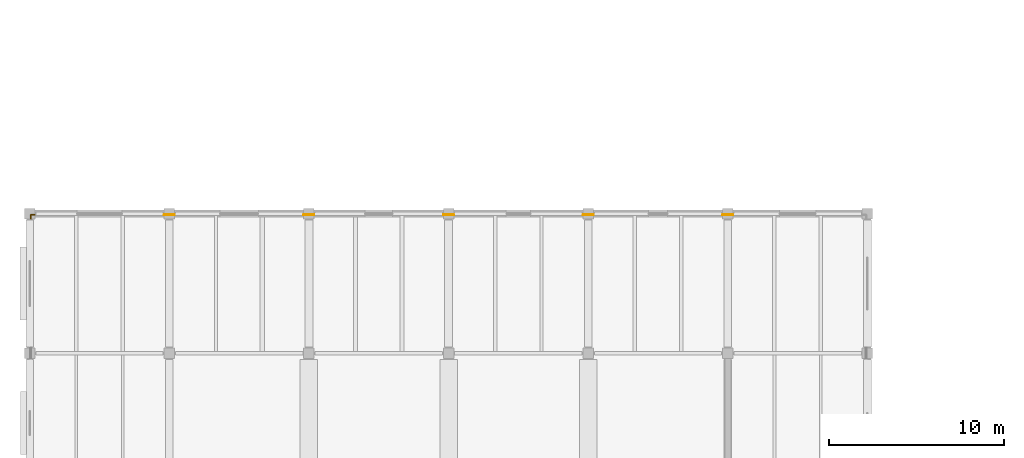
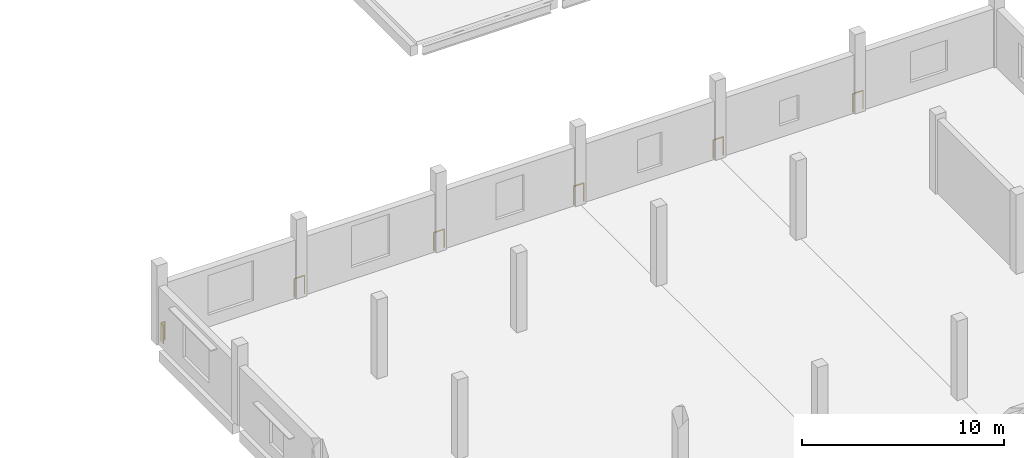
# One storey, part 39 of 52: 7 railings.
"""IFC4 building model written with IfcOpenShell, lengths in metres."""

from ifc_helpers import new_model, si_unit, direction, frame, origin, origin_2d, place, context, subcontext, project, spatial, circle, extrude, material, type_object, element, save


model = new_model("IFC4")

# Units and contexts
model_context = context("Model", 3, precision=1e-05, world=origin(), true_north=direction((0.0, 1.0)))
body_context = subcontext(model_context, "Body", "Model", "MODEL_VIEW")
ifc_project = project(units=[si_unit("LENGTHUNIT", "METRE"), si_unit("AREAUNIT", "SQUARE_METRE"), si_unit("VOLUMEUNIT", "CUBIC_METRE"), si_unit("PLANEANGLEUNIT", "RADIAN"), si_unit("MASSUNIT", "GRAM", prefix="KILO")], contexts=[model_context])

# Site, building, storey
site_placement = place(None, origin())
site = spatial("IfcSite", under=ifc_project, at=site_placement, CompositionType="ELEMENT")
building_placement = place(site_placement, origin())
building = spatial("IfcBuilding", under=site, at=building_placement, Name="Pecanmere Concourse Central Library", CompositionType="ELEMENT")
storey_placement = place(building_placement, frame((0.0, 0.0, 10.5)))
storey = spatial("IfcBuildingStorey", under=building, at=storey_placement, Name="L03", CompositionType="ELEMENT", Elevation=10.5)

# Railings
ifc_material = material(Name="Architectural anodized bronze")
railing_type = type_object("IfcRailingType", Name="RAIL_ATRIUM_BAL", PredefinedType="BALUSTRADE", material=ifc_material)
railing_1_placement = place(storey_placement, frame((0.070068359375, 31.929931640625, 0.0)))
element("IfcRailing", 1, at=railing_1_placement, inside=storey, type_object=railing_type, Name="Deck Edge Protective Balustrade L03-138", PredefinedType="BALUSTRADE", context=body_context, shape_type="SweptSolid", body=[
    extrude(circle(Radius=0.02392578125, at=origin_2d()), frame((0.0, 0.0, 1.09619140625), z_axis=(1.0, 0.0, 0.0), x_axis=(0.0, 1.0, 0.0)), (0.0, 0.0, 1.0), 0.224853515625),
    extrude(circle(Radius=0.02099609375, at=origin_2d()), origin(), (0.0, 0.0, 1.0), 1.072021484375),
    extrude(circle(Radius=0.02099609375, at=origin_2d()), frame((0.224853515625, 0.0, 0.0)), (0.0, 0.0, 1.0), 1.072021484375),
])
for number, where, name in (
    (2, (7.705078125, 31.929931640625, 0.0), "Deck Edge Protective Balustrade L03-139"),
    (3, (15.705078125, 31.929931640625, 0.0), "Deck Edge Protective Balustrade L03-140"),
    (4, (23.705078125, 31.929931640625, 0.0), "Deck Edge Protective Balustrade L03-141"),
    (5, (31.705078125, 31.929931640625, 0.0), "Deck Edge Protective Balustrade L03-142"),
    (6, (39.705078125, 31.929931640625, 0.0), "Deck Edge Protective Balustrade L03-143"),
):
    element("IfcRailing", number, at=place(storey_placement, frame(where)), inside=storey, type_object=railing_type, Name=name, PredefinedType="BALUSTRADE", context=body_context, shape_type="SweptSolid", body=[
        extrude(circle(Radius=0.02392578125, at=origin_2d()), frame((0.0, 0.0, 1.09619140625), z_axis=(1.0, 0.0, 0.0), x_axis=(0.0, 1.0, 0.0)), (0.0, 0.0, 1.0), 0.58984375),
        extrude(circle(Radius=0.02099609375, at=origin_2d()), origin(), (0.0, 0.0, 1.0), 1.072021484375),
        extrude(circle(Radius=0.02099609375, at=origin_2d()), frame((0.58984375, 0.0, 0.0)), (0.0, 0.0, 1.0), 1.072021484375),
    ])
railing_2_placement = place(storey_placement, frame((0.070068359375, 31.705078125, 0.0)))
element("IfcRailing", 7, at=railing_2_placement, inside=storey, type_object=railing_type, Name="Deck Edge Protective Balustrade L03-158", PredefinedType="BALUSTRADE", context=body_context, shape_type="SweptSolid", body=[
    extrude(circle(Radius=0.02392578125, at=origin_2d()), frame((0.0, 0.0, 1.09619140625), z_axis=(0.0, 1.0, 0.0), x_axis=(-1.0, 0.0, 0.0)), (0.0, 0.0, 1.0), 0.224853515625),
    extrude(circle(Radius=0.02099609375, at=origin_2d()), origin(), (0.0, 0.0, 1.0), 1.072021484375),
    extrude(circle(Radius=0.02099609375, at=origin_2d()), frame((0.0, 0.224853515625, 0.0)), (0.0, 0.0, 1.0), 1.072021484375),
])

save(model, "model.ifc")
